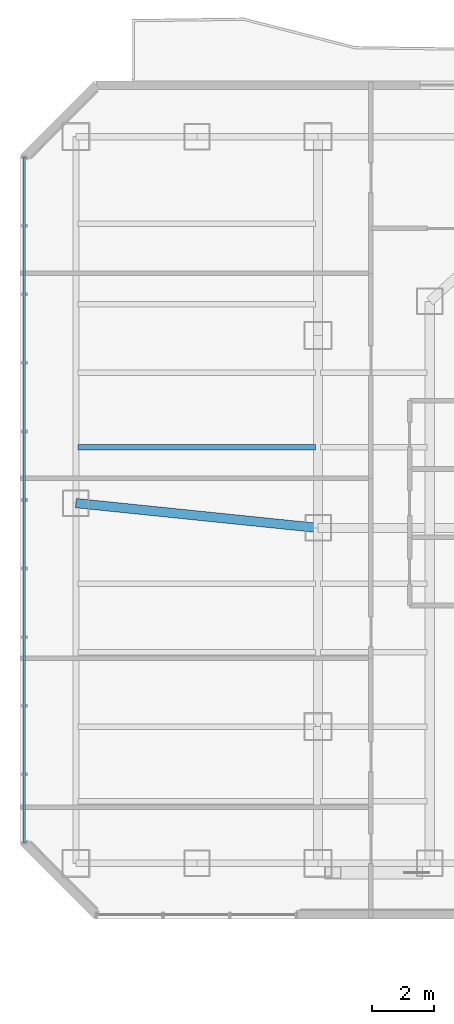
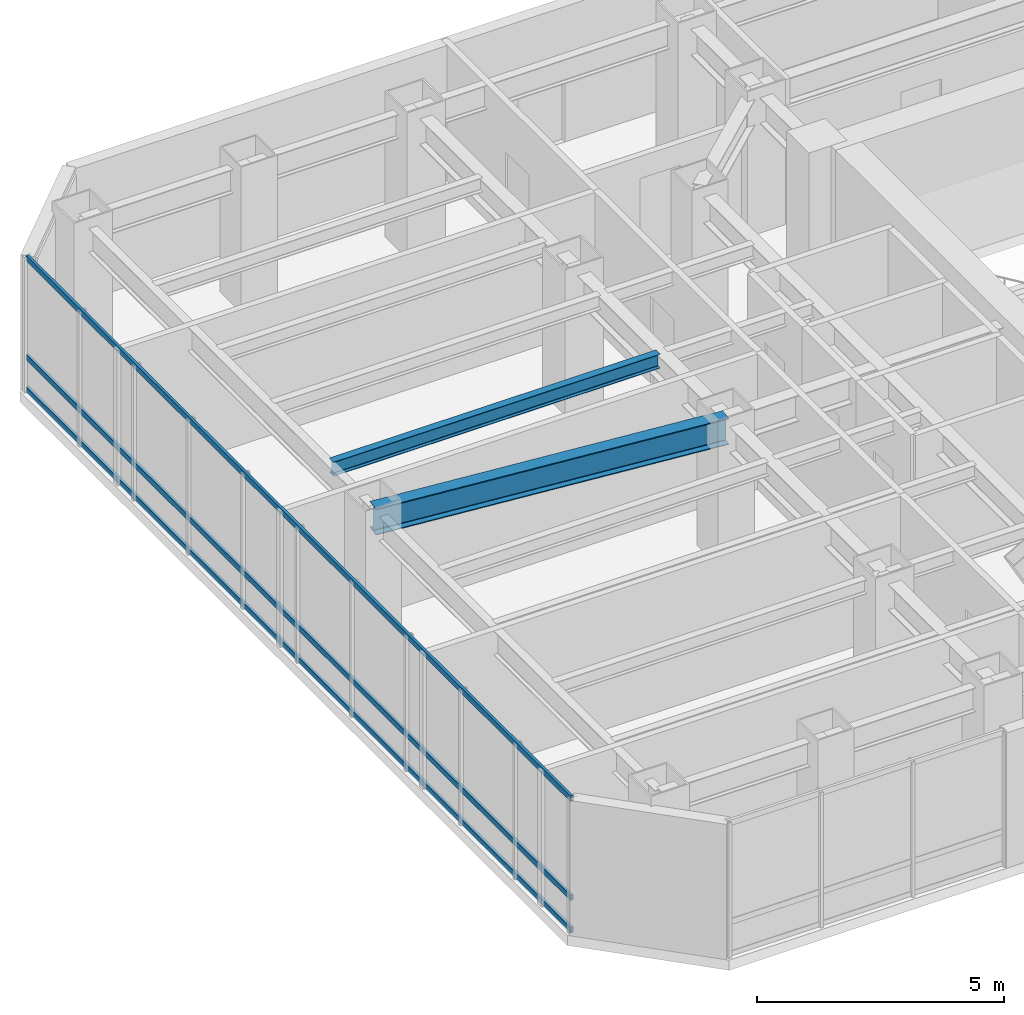
# One storey, part 14 of 31: 3 members, 2 beams, 1 element without a shape of its own.
"""IFC4 building model written with IfcOpenShell, lengths in metres."""

from ifc_helpers import new_model, si_unit, direction, frame, origin, origin_2d, place, context, subcontext, project, spatial, hollow_rectangle, i_section, extrude, material, layer, layer_set, material_profile, profile_set, type_object, element, aggregate, save


model = new_model("IFC4")

# Units and contexts
model_context = context("Model", 3, precision=1e-05, world=origin(), true_north=direction((0.0, 1.0)))
body_context = subcontext(model_context, "Body", "Model", "MODEL_VIEW")
ifc_project = project(units=[si_unit("LENGTHUNIT", "METRE"), si_unit("AREAUNIT", "SQUARE_METRE"), si_unit("VOLUMEUNIT", "CUBIC_METRE"), si_unit("PLANEANGLEUNIT", "RADIAN"), si_unit("MASSUNIT", "GRAM", prefix="KILO")], contexts=[model_context])

# Site, building, storey
site_placement = place(None, origin())
site = spatial("IfcSite", under=ifc_project, at=site_placement, CompositionType="ELEMENT")
building_placement = place(site_placement, origin())
building = spatial("IfcBuilding", under=site, at=building_placement, Name="Hatsunagi Terrace Concourse", CompositionType="ELEMENT")
storey_placement = place(building_placement, frame((0.0, 0.0, 122.85009765625)))
storey = spatial("IfcBuildingStorey", under=building, at=storey_placement, Name="L32", CompositionType="ELEMENT", Elevation=122.85009765625)

# Curtain wall, members
ifc_material_1 = material(Name="Anodised Aluminium Alloy 6063-T5", Category="aluminium")
ifc_layer = layer(ifc_material_1, 0.199951171875)
ifc_layer_set = layer_set([ifc_layer], Name="OfficeZone1_CW03")
curtain_wall_type = type_object("IfcCurtainWallType", Name="OfficeZone1_CW03", PredefinedType="NOTDEFINED", material=ifc_layer_set)
curtain_wall_placement = place(storey_placement, origin())
curtain_wall = element("IfcCurtainWall", 1, at=curtain_wall_placement, inside=storey, type_object=curtain_wall_type, Name="Unitised Curtain Wall CW-03 CW-L32-09", PredefinedType="NOTDEFINED")
ifc_material_2 = material(Name="Anodised Aluminium Alloy 6063-T5", Category="aluminium")
ifc_material_profile_1 = material_profile(ifc_material_2, hollow_rectangle(XDim=0.06494140625, YDim=0.139892578125, WallThickness=0.00390625, at=origin_2d()), Name="ALU-TRN-140x65x4")
ifc_profile_set_1 = profile_set([ifc_material_profile_1], Name="Anodised Aluminium Alloy 6063-T5")
member_type = type_object("IfcMemberType", Name="CurtainWallTransom_140x65", PredefinedType="USERDEFINED", material=ifc_profile_set_1)
member_1_placement = place(storey_placement, frame((9.739990234375, 25.85791015625, 0.0498046875), z_axis=(0.0, 1.0, 0.0), x_axis=(-1.0, 0.0, 0.0)))
member_1 = element("IfcMember", 2, at=member_1_placement, type_object=member_type, Name="Curtain Wall Transom TRN-02", ObjectType="TRANSOM", PredefinedType="USERDEFINED", context=body_context, shape_type="SweptSolid", body=[
    extrude(hollow_rectangle(XDim=0.06494140625, YDim=0.139892578125, WallThickness=0.00390625, at=origin_2d()), origin(), (0.0, 0.0, 1.0), 22.083984375),
])
member_2_placement = place(storey_placement, frame((9.739990234375, 25.85791015625, 0.849853515625), z_axis=(0.0, 1.0, 0.0), x_axis=(-1.0, 0.0, 0.0)))
member_2 = element("IfcMember", 3, at=member_2_placement, type_object=member_type, Name="Curtain Wall Transom TRN-02", ObjectType="TRANSOM", PredefinedType="USERDEFINED", context=body_context, shape_type="SweptSolid", body=[
    extrude(hollow_rectangle(XDim=0.06494140625, YDim=0.139892578125, WallThickness=0.00390625, at=origin_2d()), origin(), (0.0, 0.0, 1.0), 22.083984375),
])
member_3_placement = place(storey_placement, frame((9.739990234375, 25.85791015625, 3.2998046875), z_axis=(0.0, 1.0, 0.0), x_axis=(-1.0, 0.0, 0.0)))
member_3 = element("IfcMember", 4, at=member_3_placement, type_object=member_type, Name="Curtain Wall Transom TRN-02", ObjectType="TRANSOM", PredefinedType="USERDEFINED", context=body_context, shape_type="SweptSolid", body=[
    extrude(hollow_rectangle(XDim=0.06494140625, YDim=0.139892578125, WallThickness=0.00390625, at=origin_2d()), origin(), (0.0, 0.0, 1.0), 22.083984375),
])
aggregate(curtain_wall, [member_1, member_2, member_3])

# Beams
ifc_material_3 = material(Name="Steel SN490B", Category="steel")
ifc_material_profile_2 = material_profile(ifc_material_3, i_section(OverallWidth=0.175048828125, OverallDepth=0.35009765625, WebThickness=0.007080078125, FlangeThickness=0.010986328125, FilletRadius=0.012939453125, at=origin_2d()), Name="H-350x175x7x11")
ifc_profile_set_2 = profile_set([ifc_material_profile_2], Name="Steel SN490B")
beam_type_1 = type_object("IfcBeamType", Name="HotelJoist_H_350x175", PredefinedType="JOIST", material=ifc_profile_set_2)
beam_1_placement = place(storey_placement, frame((11.465087890625, 38.60009765625, 3.1748046875), z_axis=(1.0, 0.0, 0.0), x_axis=(0.0, 1.0, 0.0)))
element("IfcBeam", 5, at=beam_1_placement, inside=storey, type_object=beam_type_1, Name="Beam J-02 J-L32-W-11-386", PredefinedType="JOIST", context=body_context, shape_type="SweptSolid", body=[
    extrude(i_section(OverallWidth=0.175048828125, OverallDepth=0.35009765625, WebThickness=0.007080078125, FlangeThickness=0.010986328125, FilletRadius=0.012939453125, at=origin_2d()), origin(), (0.0, 0.0, 1.0), 7.64990234375),
])
ifc_material_4 = material(Name="Steel SN490B", Category="steel")
ifc_material_profile_3 = material_profile(ifc_material_4, i_section(OverallWidth=0.300048828125, OverallDepth=0.64990234375, WebThickness=0.012939453125, FlangeThickness=0.02197265625, FilletRadius=0.01806640625, at=origin_2d()), Name="H-650x300x13x22")
ifc_profile_set_3 = profile_set([ifc_material_profile_3], Name="Steel SN490B")
beam_type_2 = type_object("IfcBeamType", Name="OfficeLowGirder_H_650x300", PredefinedType="BEAM", material=ifc_profile_set_3)
beam_2_placement = place(storey_placement, frame((11.39990234375, 36.800048828125, 3.02490234375), z_axis=(0.994780871372, -0.102034395927, 0.0), x_axis=(0.102034395927, 0.994780871372, 0.0)))
element("IfcBeam", 6, at=beam_2_placement, inside=storey, type_object=beam_type_2, Name="Beam G-05 BM-L32-EW-2", PredefinedType="BEAM", context=body_context, shape_type="SweptSolid", body=[
    extrude(i_section(OverallWidth=0.300048828125, OverallDepth=0.64990234375, WebThickness=0.012939453125, FlangeThickness=0.02197265625, FilletRadius=0.01806640625, at=origin_2d()), origin(), (0.0, 0.0, 1.0), 7.841064453125),
])

save(model, "model.ifc")
